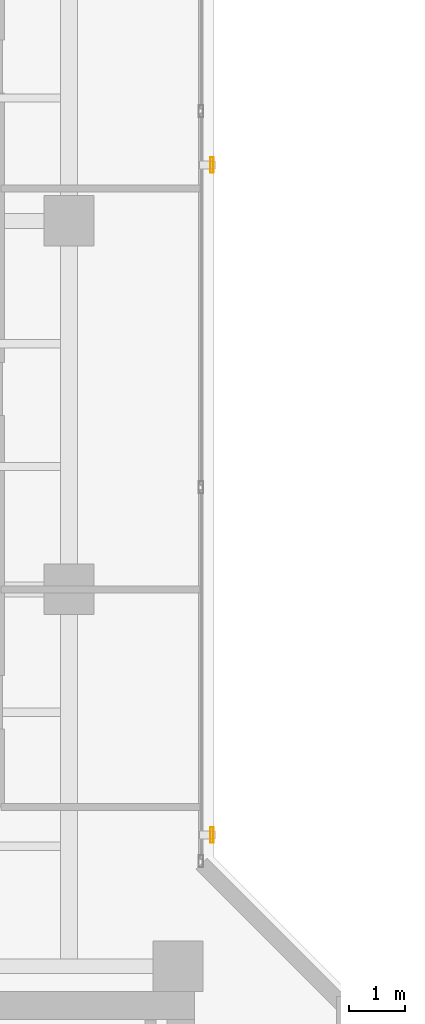
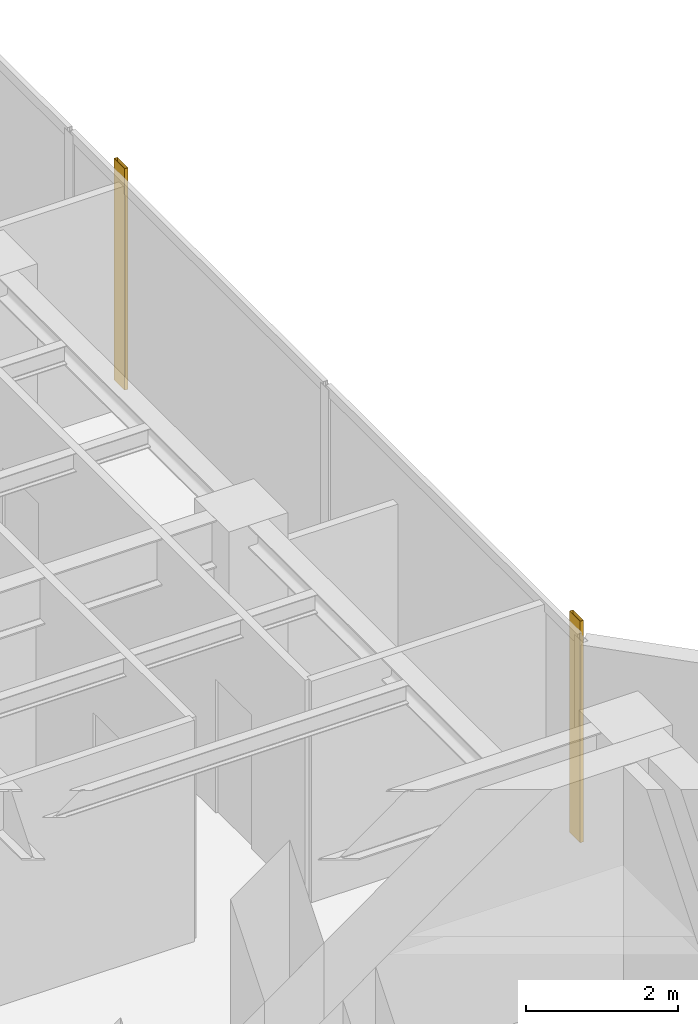
# One storey, part 22 of 22: 2 shading devices.
"""IFC4 building model written with IfcOpenShell, lengths in metres."""

from ifc_helpers import new_model, si_unit, direction, frame, origin, origin_2d, place, context, subcontext, project, spatial, hollow_rectangle, extrude, material, material_profile, profile_set, type_object, element, save


model = new_model("IFC4")

# Units and contexts
model_context = context("Model", 3, precision=1e-05, world=origin(), true_north=direction((0.0, 1.0)))
body_context = subcontext(model_context, "Body", "Model", "MODEL_VIEW")
ifc_project = project(units=[si_unit("LENGTHUNIT", "METRE"), si_unit("AREAUNIT", "SQUARE_METRE"), si_unit("VOLUMEUNIT", "CUBIC_METRE"), si_unit("PLANEANGLEUNIT", "RADIAN"), si_unit("MASSUNIT", "GRAM", prefix="KILO")], contexts=[model_context])

# Site, building, storey
site_placement = place(None, origin())
site = spatial("IfcSite", under=ifc_project, at=site_placement, CompositionType="ELEMENT")
building_placement = place(site_placement, origin())
building = spatial("IfcBuilding", under=site, at=building_placement, Name="Kolvaren Waterfront Exchange", CompositionType="ELEMENT")
storey_placement = place(building_placement, frame((0.0, 0.0, 262.800048828125)))
storey = spatial("IfcBuildingStorey", under=building, at=storey_placement, Name="L67", CompositionType="ELEMENT", Elevation=262.800048828125)

# Shading devices
ifc_material = material(Name="Anodised bronze aluminium 6063-T6", Category="aluminium")
ifc_material_profile = material_profile(ifc_material, hollow_rectangle(XDim=0.054931640625, YDim=0.280029296875, WallThickness=0.00439453125, at=origin_2d()), Name="BRZ-FIN-280x55x4.5")
ifc_profile_set = profile_set([ifc_material_profile], Name="Anodised bronze aluminium 6063-T6")
shading_device_type = type_object("IfcShadingDeviceType", Name="ARC-FIN-280", PredefinedType="USERDEFINED", material=ifc_profile_set)
for number, where, z_axis, x_axis, name in (
    (1, (21.360107421875, 26.800048828125, 0.0), (0.0, 0.0, 1.0), (1.0, 0.0, 0.0), "L67 anodised bronze solar shading fin FIN-L67-E2"),
    (2, (21.360107421875, 38.800048828125, 0.0), (0.0, 0.0, 1.0), (1.0, 0.0, 0.0), "L67 anodised bronze solar shading fin FIN-L67-E3"),
):
    element("IfcShadingDevice", number, at=place(storey_placement, frame(where, z_axis=z_axis, x_axis=x_axis)), inside=storey, type_object=shading_device_type, Name=name, ObjectType="SOLAR FIN", PredefinedType="USERDEFINED", context=body_context, shape_type="SweptSolid", body=[
        extrude(hollow_rectangle(XDim=0.054931640625, YDim=0.280029296875, WallThickness=0.00439453125, at=origin_2d()), origin(), (0.0, 0.0, 1.0), 3.56005859375),
    ])

save(model, "model.ifc")
